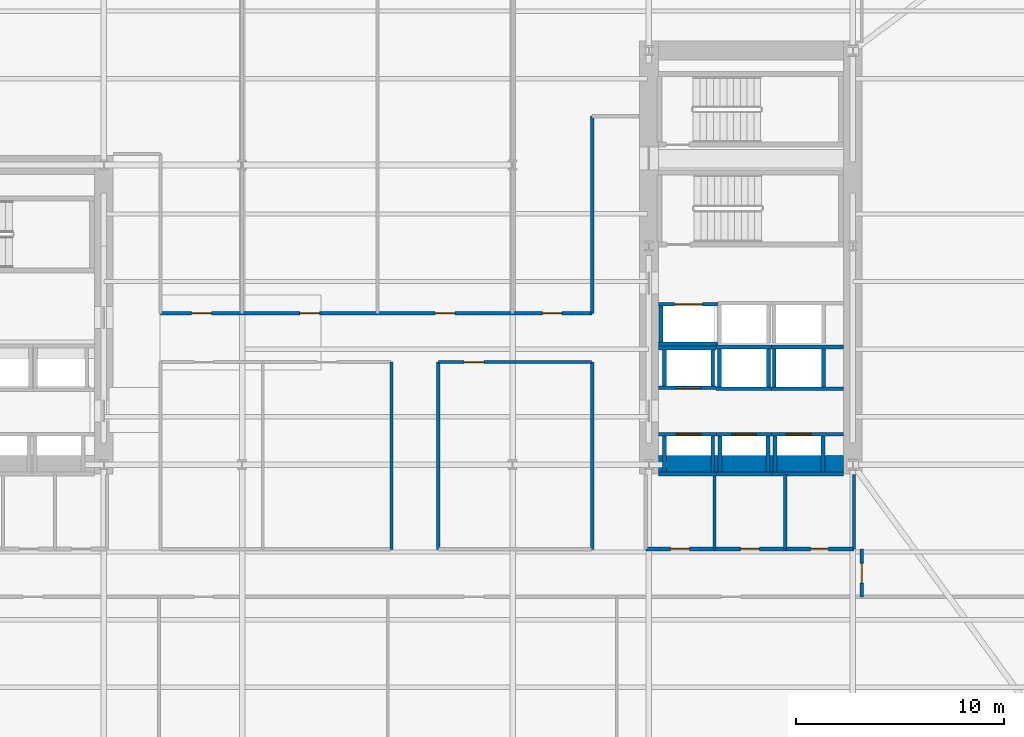
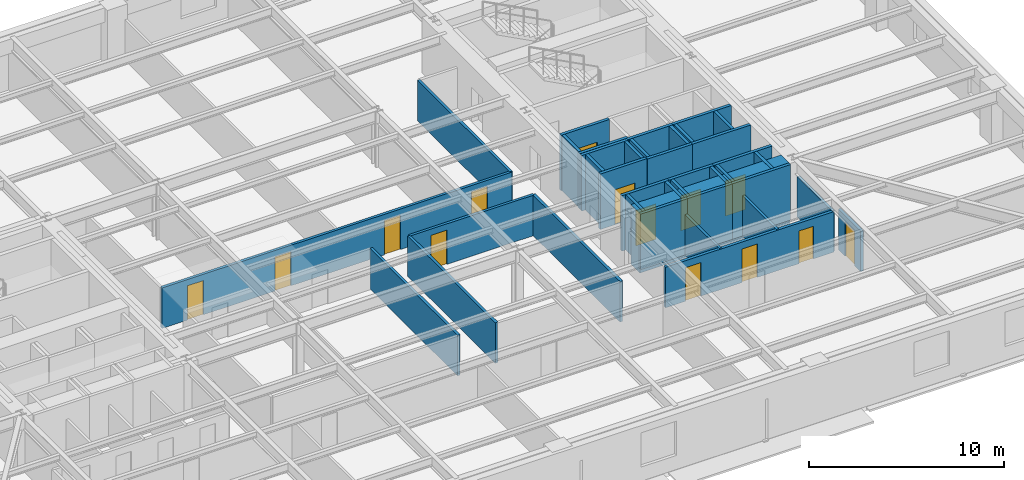
# One storey, part 6 of 15: 39 walls, 14 doors, 14 openings.
"""IFC4 building model written with IfcOpenShell, lengths in metres."""

from ifc_helpers import new_model, si_unit, direction, frame, frame_2d, origin, place, context, subcontext, project, spatial, rectangle, extrude, material, layer, layer_set, type_object, element, fill, save


model = new_model("IFC4")

# Units and contexts
model_context = context("Model", 3, precision=1e-05, world=origin(), true_north=direction((0.0, 1.0)))
body_context = subcontext(model_context, "Body", "Model", "MODEL_VIEW")
ifc_project = project(units=[si_unit("LENGTHUNIT", "METRE"), si_unit("AREAUNIT", "SQUARE_METRE"), si_unit("VOLUMEUNIT", "CUBIC_METRE"), si_unit("PLANEANGLEUNIT", "RADIAN"), si_unit("MASSUNIT", "GRAM", prefix="KILO")], contexts=[model_context])

# Site, building, storey
site_placement = place(None, origin())
site = spatial("IfcSite", under=ifc_project, at=site_placement, CompositionType="ELEMENT")
building_placement = place(site_placement, origin())
building = spatial("IfcBuilding", under=site, at=building_placement, Name="Kolvaren Arena Tower", CompositionType="ELEMENT")
storey_placement = place(building_placement, frame((0.0, 0.0, 83.25)))
storey = spatial("IfcBuildingStorey", under=building, at=storey_placement, Name="L18", CompositionType="ELEMENT", Elevation=83.25)

# Wall, openings, doors
ifc_material_1 = material(Name="Gypsum board acoustic assembly", Category="gypsum")
ifc_layer_1 = layer(ifc_material_1, 0.159912109375)
ifc_layer_set_1 = layer_set([ifc_layer_1], Name="Gypsum board acoustic assembly")
wall_type_1 = type_object("IfcWallType", Name="CORR-160", PredefinedType="PARTITIONING", material=ifc_layer_set_1)
wall_1_placement = place(storey_placement, frame((27.080078125, 26.719970703125, 0.0), z_axis=(0.0, 0.0, 1.0), x_axis=(1.0, 0.0, 0.0)))
wall_1 = element("IfcWall", 1, at=wall_1_placement, inside=storey, type_object=wall_type_1, Name="Interior Partition Wall (L18)", PredefinedType="PARTITIONING", context=body_context, shape_type="SweptSolid", body=[
    extrude(rectangle(XDim=20.739990234375, YDim=0.159912109375, at=frame_2d((10.3701171875, 0.0))), origin(), (0.0, 0.0, 1.0), 2.5400390625),
])
opening_1_placement = place(wall_1_placement, frame((1.4951171875, 0.0, 0.0)))
opening_1 = element("IfcOpeningElement", 2, at=opening_1_placement, cuts=wall_1, Name="Opening D05", PredefinedType="OPENING", context=body_context, shape_type="SweptSolid", body=[
    extrude(rectangle(XDim=0.949951171875, YDim=2.14990234375, at=frame_2d((0.47509765625, 1.074951171875))), frame((0.0, 0.08984375, 0.0), z_axis=(0.0, -1.0, 0.0), x_axis=(1.0, 0.0, 0.0)), (0.0, 0.0, 1.0), 0.179931640625),
])
opening_2_placement = place(wall_1_placement, frame((6.695068359375, 0.0, 0.0)))
opening_2 = element("IfcOpeningElement", 3, at=opening_2_placement, cuts=wall_1, Name="Opening D05", PredefinedType="OPENING", context=body_context, shape_type="SweptSolid", body=[
    extrude(rectangle(XDim=0.949951171875, YDim=2.14990234375, at=frame_2d((0.47509765625, 1.074951171875))), frame((0.0, 0.08984375, 0.0), z_axis=(0.0, -1.0, 0.0), x_axis=(1.0, 0.0, 0.0)), (0.0, 0.0, 1.0), 0.179931640625),
])
opening_3_placement = place(wall_1_placement, frame((13.195068359375, 0.0, 0.0)))
opening_3 = element("IfcOpeningElement", 4, at=opening_3_placement, cuts=wall_1, Name="Opening D05", PredefinedType="OPENING", context=body_context, shape_type="SweptSolid", body=[
    extrude(rectangle(XDim=0.949951171875, YDim=2.14990234375, at=frame_2d((0.47509765625, 1.074951171875))), frame((0.0, 0.08984375, 0.0), z_axis=(0.0, -1.0, 0.0), x_axis=(1.0, 0.0, 0.0)), (0.0, 0.0, 1.0), 0.179931640625),
])
opening_4_placement = place(wall_1_placement, frame((18.344970703125, 0.0, 0.0)))
opening_4 = element("IfcOpeningElement", 5, at=opening_4_placement, cuts=wall_1, Name="Opening D05", PredefinedType="OPENING", context=body_context, shape_type="SweptSolid", body=[
    extrude(rectangle(XDim=0.949951171875, YDim=2.14990234375, at=frame_2d((0.47509765625, 1.074951171875))), frame((0.0, 0.08984375, 0.0), z_axis=(0.0, -1.0, 0.0), x_axis=(1.0, 0.0, 0.0)), (0.0, 0.0, 1.0), 0.179931640625),
])
ifc_material_2 = material(Name="Solid-core oak acoustic office door", Category="wood")
door_type_1 = type_object("IfcDoorType", Name="DOOR-OF-095", OperationType="NOTDEFINED", PredefinedType="DOOR", material=ifc_material_2)
door_1_placement = place(opening_1_placement, origin())
door_1 = element("IfcDoor", 6, at=door_1_placement, inside=storey, type_object=door_type_1, Name="Breakout Pantry and Kitchen Door (L18)", OperationType="SINGLE_SWING_RIGHT", OverallHeight=2.14990234375, OverallWidth=0.949951171875, PredefinedType="DOOR", context=body_context, shape_type="SweptSolid", body=[
    extrude(rectangle(XDim=0.949951171875, YDim=2.14990234375, at=frame_2d((0.47509765625, 1.074951171875))), frame((0.0, 0.02490234375, 0.0), z_axis=(0.0, -1.0, 0.0), x_axis=(1.0, 0.0, 0.0)), (0.0, 0.0, 1.0), 0.050048828125),
])
fill(opening_1, door_1)
door_2_placement = place(opening_2_placement, origin())
door_2 = element("IfcDoor", 7, at=door_2_placement, inside=storey, type_object=door_type_1, Name="Wellness Room Door (L18)", OperationType="SINGLE_SWING_LEFT", OverallHeight=2.14990234375, OverallWidth=0.949951171875, PredefinedType="DOOR", context=body_context, shape_type="SweptSolid", body=[
    extrude(rectangle(XDim=0.949951171875, YDim=2.14990234375, at=frame_2d((0.47509765625, 1.074951171875))), frame((0.0, 0.02490234375, 0.0), z_axis=(0.0, -1.0, 0.0), x_axis=(1.0, 0.0, 0.0)), (0.0, 0.0, 1.0), 0.050048828125),
])
fill(opening_2, door_2)
door_3_placement = place(opening_3_placement, origin())
door_3 = element("IfcDoor", 8, at=door_3_placement, inside=storey, type_object=door_type_1, Name="Executive Office Door (L18)", OperationType="SINGLE_SWING_RIGHT", OverallHeight=2.14990234375, OverallWidth=0.949951171875, PredefinedType="DOOR", context=body_context, shape_type="SweptSolid", body=[
    extrude(rectangle(XDim=0.949951171875, YDim=2.14990234375, at=frame_2d((0.47509765625, 1.074951171875))), frame((0.0, 0.02490234375, 0.0), z_axis=(0.0, -1.0, 0.0), x_axis=(1.0, 0.0, 0.0)), (0.0, 0.0, 1.0), 0.050048828125),
])
fill(opening_3, door_3)
door_4_placement = place(opening_4_placement, origin())
door_4 = element("IfcDoor", 9, at=door_4_placement, inside=storey, type_object=door_type_1, Name="Executive Office Door (L18)", OperationType="SINGLE_SWING_LEFT", OverallHeight=2.14990234375, OverallWidth=0.949951171875, PredefinedType="DOOR", context=body_context, shape_type="SweptSolid", body=[
    extrude(rectangle(XDim=0.949951171875, YDim=2.14990234375, at=frame_2d((0.47509765625, 1.074951171875))), frame((0.0, 0.02490234375, 0.0), z_axis=(0.0, -1.0, 0.0), x_axis=(1.0, 0.0, 0.0)), (0.0, 0.0, 1.0), 0.050048828125),
])
fill(opening_4, door_4)

# Wall, opening, door
wall_2_placement = place(storey_placement, frame((40.43994140625, 24.3798828125, 0.0), z_axis=(0.0, 0.0, 1.0), x_axis=(1.0, 0.0, 0.0)))
wall_2 = element("IfcWall", 10, at=wall_2_placement, inside=storey, type_object=wall_type_1, Name="Interior Partition Wall (L18)", PredefinedType="PARTITIONING", context=body_context, shape_type="SweptSolid", body=[
    extrude(rectangle(XDim=7.360107421875, YDim=0.159912109375, at=frame_2d((3.68017578125, 0.0))), origin(), (0.0, 0.0, 1.0), 2.5400390625),
])
opening_5_placement = place(wall_2_placement, frame((1.235107421875, 0.0, 0.0)))
opening_5 = element("IfcOpeningElement", 11, at=opening_5_placement, cuts=wall_2, Name="Opening D05", PredefinedType="OPENING", context=body_context, shape_type="SweptSolid", body=[
    extrude(rectangle(XDim=0.949951171875, YDim=2.14990234375, at=frame_2d((0.47509765625, 1.074951171875))), frame((0.0, 0.08984375, 0.0), z_axis=(0.0, -1.0, 0.0), x_axis=(1.0, 0.0, 0.0)), (0.0, 0.0, 1.0), 0.179931640625),
])
door_5_placement = place(opening_5_placement, origin())
door_5 = element("IfcDoor", 12, at=door_5_placement, inside=storey, type_object=door_type_1, Name="Breakout Pantry and Kitchen Door (L18)", OperationType="SINGLE_SWING_RIGHT", OverallHeight=2.14990234375, OverallWidth=0.949951171875, PredefinedType="DOOR", context=body_context, shape_type="SweptSolid", body=[
    extrude(rectangle(XDim=0.949951171875, YDim=2.14990234375, at=frame_2d((0.47509765625, 1.074951171875))), frame((0.0, 0.02490234375, 0.0), z_axis=(0.0, -1.0, 0.0), x_axis=(1.0, 0.0, 0.0)), (0.0, 0.0, 1.0), 0.050048828125),
])
fill(opening_5, door_5)

# Walls
for number, where, z_axis, x_axis, name in (
    (13, (38.179931640625, 15.3798828125, 0.0), (0.0, 0.0, 1.0), (0.0, 1.0, 0.0), "Interior Partition Wall (L18)"),
    (14, (40.419921875, 15.3798828125, 0.0), (0.0, 0.0, 1.0), (0.0, 1.0, 0.0), "Interior Partition Wall (L18)"),
    (15, (47.820068359375, 15.3798828125, 0.0), (0.0, 0.0, 1.0), (0.0, 1.0, 0.0), "Interior Partition Wall (L18)"),
):
    element("IfcWall", number, at=place(storey_placement, frame(where, z_axis=z_axis, x_axis=x_axis)), inside=storey, type_object=wall_type_1, Name=name, PredefinedType="PARTITIONING", context=body_context, shape_type="SweptSolid", body=[
        extrude(rectangle(XDim=9.0, YDim=0.159912109375, at=frame_2d((4.5, 0.0))), origin(), (0.0, 0.0, 1.0), 2.5400390625),
    ])
wall_3_placement = place(storey_placement, frame((47.820068359375, 26.719970703125, 0.0), z_axis=(0.0, 0.0, 1.0), x_axis=(0.0, 1.0, 0.0)))
element("IfcWall", 16, at=wall_3_placement, inside=storey, type_object=wall_type_1, Name="Interior Partition Wall (L18)", PredefinedType="PARTITIONING", context=body_context, shape_type="SweptSolid", body=[
    extrude(rectangle(XDim=9.47998046875, YDim=0.159912109375, at=frame_2d((4.739990234375, 0.0))), origin(), (0.0, 0.0, 1.0), 2.5400390625),
])

# Wall, opening, door
wall_4_placement = place(storey_placement, frame((60.780029296875, 13.10009765625, 0.0), z_axis=(0.0, 0.0, 1.0), x_axis=(0.0, 1.0, 0.0)))
wall_4 = element("IfcWall", 17, at=wall_4_placement, inside=storey, type_object=wall_type_1, Name="Interior Partition Wall (L18)", PredefinedType="PARTITIONING", context=body_context, shape_type="SweptSolid", body=[
    extrude(rectangle(XDim=2.2998046875, YDim=0.159912109375, at=frame_2d((1.14990234375, 0.0))), origin(), (0.0, 0.0, 1.0), 2.5400390625),
])
opening_6_placement = place(wall_4_placement, frame((0.64990234375, 0.0, 0.0)))
opening_6 = element("IfcOpeningElement", 18, at=opening_6_placement, cuts=wall_4, Name="Opening D05", PredefinedType="OPENING", context=body_context, shape_type="SweptSolid", body=[
    extrude(rectangle(XDim=0.949951171875, YDim=2.14990234375, at=frame_2d((0.47509765625, 1.074951171875))), frame((0.0, 0.08984375, 0.0), z_axis=(0.0, -1.0, 0.0), x_axis=(1.0, 0.0, 0.0)), (0.0, 0.0, 1.0), 0.179931640625),
])
door_6_placement = place(opening_6_placement, origin())
door_6 = element("IfcDoor", 19, at=door_6_placement, inside=storey, type_object=door_type_1, Name="East Wing Studio Door (L18)", OperationType="SINGLE_SWING_RIGHT", OverallHeight=2.14990234375, OverallWidth=0.949951171875, PredefinedType="DOOR", context=body_context, shape_type="SweptSolid", body=[
    extrude(rectangle(XDim=0.949951171875, YDim=2.14990234375, at=frame_2d((0.47509765625, 1.074951171875))), frame((0.0, 0.02490234375, 0.0), z_axis=(0.0, -1.0, 0.0), x_axis=(1.0, 0.0, 0.0)), (0.0, 0.0, 1.0), 0.050048828125),
])
fill(opening_6, door_6)

# Wall
ifc_material_3 = material(Name="Concrete 80 MPa", Category="concrete")
ifc_layer_2 = layer(ifc_material_3, 0.89990234375)
ifc_layer_set_2 = layer_set([ifc_layer_2], Name="Concrete 80 MPa")
wall_type_2 = type_object("IfcWallType", Name="CWALL-900", PredefinedType="SHEAR", material=ifc_layer_set_2)
wall_5_placement = place(storey_placement, frame((51.0, 19.449951171875, -0.27001953125), z_axis=(0.0, 0.0, 1.0), x_axis=(1.0, 0.0, 0.0)))
element("IfcWall", 20, at=wall_5_placement, inside=storey, type_object=wall_type_2, Name="Core Shear Wall EC-SOUTH (L18)", PredefinedType="SHEAR", context=body_context, shape_type="SweptSolid", body=[
    extrude(rectangle(XDim=8.89990234375, YDim=0.89990234375, at=frame_2d((4.449951171875, 0.0))), origin(), (0.0, 0.0, 1.0), 3.75),
])

# Wall, opening, door
ifc_material_4 = material(Name="Concrete 45 MPa", Category="concrete")
ifc_layer_3 = layer(ifc_material_4, 0.25)
ifc_layer_set_3 = layer_set([ifc_layer_3], Name="Concrete 45 MPa")
wall_type_3 = type_object("IfcWallType", Name="SHAFT-250", PredefinedType="SOLIDWALL", material=ifc_layer_set_3)
wall_6_placement = place(storey_placement, frame((51.0, 20.905029296875, 0.0), z_axis=(0.0, 0.0, 1.0), x_axis=(1.0, 0.0, 0.0)))
wall_6 = element("IfcWall", 21, at=wall_6_placement, inside=storey, type_object=wall_type_3, Name="Core Shaft Wall (L18)", PredefinedType="SOLIDWALL", context=body_context, shape_type="SweptSolid", body=[
    extrude(rectangle(XDim=2.7900390625, YDim=0.179931640625, at=frame_2d((1.39501953125, 0.0))), origin(), (0.0, 0.0, 1.0), 3.47998046875),
])
opening_7_placement = place(wall_6_placement, frame((0.860107421875, 0.0, 0.0)))
opening_7 = element("IfcOpeningElement", 22, at=opening_7_placement, cuts=wall_6, Name="Opening LD1", PredefinedType="OPENING", context=body_context, shape_type="SweptSolid", body=[
    extrude(rectangle(XDim=1.199951171875, YDim=2.199951171875, at=frame_2d((0.60009765625, 1.10009765625))), frame((0.0, 0.099853515625, 0.0), z_axis=(0.0, -1.0, 0.0), x_axis=(1.0, 0.0, 0.0)), (0.0, 0.0, 1.0), 0.199951171875),
])
ifc_material_5 = material(Name="Stainless steel passenger lift landing door", Category="steel")
door_type_2 = type_object("IfcDoorType", Name="DOOR-LD-120", OperationType="DOUBLE_DOOR_SLIDING", PredefinedType="DOOR", material=ifc_material_5)
door_7_placement = place(opening_7_placement, origin())
door_7 = element("IfcDoor", 23, at=door_7_placement, inside=storey, type_object=door_type_2, Name="Lift EL-LR1 Landing Door (L18)", OperationType="DOUBLE_DOOR_SLIDING", OverallHeight=2.199951171875, OverallWidth=1.199951171875, PredefinedType="DOOR", context=body_context, shape_type="SweptSolid", body=[
    extrude(rectangle(XDim=1.199951171875, YDim=2.199951171875, at=frame_2d((0.60009765625, 1.10009765625))), frame((0.0, 0.02490234375, 0.0), z_axis=(0.0, -1.0, 0.0), x_axis=(1.0, 0.0, 0.0)), (0.0, 0.0, 1.0), 0.050048828125),
])
fill(opening_7, door_7)

# Walls
wall_7_placement = place(storey_placement, frame((51.0, 18.9951171875, 0.0), z_axis=(0.0, 0.0, 1.0), x_axis=(1.0, 0.0, 0.0)))
element("IfcWall", 24, at=wall_7_placement, inside=storey, type_object=wall_type_3, Name="Core Shaft Wall (L18)", PredefinedType="SOLIDWALL", context=body_context, shape_type="SweptSolid", body=[
    extrude(rectangle(XDim=2.7900390625, YDim=0.179931640625, at=frame_2d((1.39501953125, 0.0))), origin(), (0.0, 0.0, 1.0), 3.47998046875),
])
for number, where, z_axis, x_axis, name in (
    (25, (51.304931640625, 19.0849609375, 0.0), (0.0, 0.0, 1.0), (0.0, 1.0, 0.0), "Core Shaft Wall (L18)"),
    (26, (53.614990234375, 19.0849609375, 0.0), (0.0, 0.0, 1.0), (0.0, 1.0, 0.0), "Core Shaft Wall (L18)"),
):
    element("IfcWall", number, at=place(storey_placement, frame(where, z_axis=z_axis, x_axis=x_axis)), inside=storey, type_object=wall_type_3, Name=name, PredefinedType="SOLIDWALL", context=body_context, shape_type="SweptSolid", body=[
        extrude(rectangle(XDim=1.72998046875, YDim=0.179931640625, at=frame_2d((0.864990234375, 0.0))), origin(), (0.0, 0.0, 1.0), 3.47998046875),
    ])

# Wall, opening, door
wall_8_placement = place(storey_placement, frame((53.7900390625, 20.905029296875, 0.0), z_axis=(0.0, 0.0, 1.0), x_axis=(1.0, 0.0, 0.0)))
wall_8 = element("IfcWall", 27, at=wall_8_placement, inside=storey, type_object=wall_type_3, Name="Core Shaft Wall (L18)", PredefinedType="SOLIDWALL", context=body_context, shape_type="SweptSolid", body=[
    extrude(rectangle(XDim=2.64990234375, YDim=0.179931640625, at=frame_2d((1.324951171875, 0.0))), origin(), (0.0, 0.0, 1.0), 3.47998046875),
])
opening_8_placement = place(wall_8_placement, frame((0.72998046875, 0.0, 0.0)))
opening_8 = element("IfcOpeningElement", 28, at=opening_8_placement, cuts=wall_8, Name="Opening LD1", PredefinedType="OPENING", context=body_context, shape_type="SweptSolid", body=[
    extrude(rectangle(XDim=1.199951171875, YDim=2.199951171875, at=frame_2d((0.60009765625, 1.10009765625))), frame((0.0, 0.099853515625, 0.0), z_axis=(0.0, -1.0, 0.0), x_axis=(1.0, 0.0, 0.0)), (0.0, 0.0, 1.0), 0.199951171875),
])
door_8_placement = place(opening_8_placement, origin())
door_8 = element("IfcDoor", 29, at=door_8_placement, inside=storey, type_object=door_type_2, Name="Lift EL-LR2 Landing Door (L18)", OperationType="DOUBLE_DOOR_SLIDING", OverallHeight=2.199951171875, OverallWidth=1.199951171875, PredefinedType="DOOR", context=body_context, shape_type="SweptSolid", body=[
    extrude(rectangle(XDim=1.199951171875, YDim=2.199951171875, at=frame_2d((0.60009765625, 1.10009765625))), frame((0.0, 0.02490234375, 0.0), z_axis=(0.0, -1.0, 0.0), x_axis=(1.0, 0.0, 0.0)), (0.0, 0.0, 1.0), 0.050048828125),
])
fill(opening_8, door_8)

# Walls
wall_9_placement = place(storey_placement, frame((53.7900390625, 18.9951171875, 0.0), z_axis=(0.0, 0.0, 1.0), x_axis=(1.0, 0.0, 0.0)))
element("IfcWall", 30, at=wall_9_placement, inside=storey, type_object=wall_type_3, Name="Core Shaft Wall (L18)", PredefinedType="SOLIDWALL", context=body_context, shape_type="SweptSolid", body=[
    extrude(rectangle(XDim=2.64990234375, YDim=0.179931640625, at=frame_2d((1.324951171875, 0.0))), origin(), (0.0, 0.0, 1.0), 3.47998046875),
])
for number, where, z_axis, x_axis, name in (
    (31, (53.965087890625, 19.0849609375, 0.0), (0.0, 0.0, 1.0), (0.0, 1.0, 0.0), "Core Shaft Wall (L18)"),
    (32, (56.27490234375, 19.0849609375, 0.0), (0.0, 0.0, 1.0), (0.0, 1.0, 0.0), "Core Shaft Wall (L18)"),
):
    element("IfcWall", number, at=place(storey_placement, frame(where, z_axis=z_axis, x_axis=x_axis)), inside=storey, type_object=wall_type_3, Name=name, PredefinedType="SOLIDWALL", context=body_context, shape_type="SweptSolid", body=[
        extrude(rectangle(XDim=1.72998046875, YDim=0.179931640625, at=frame_2d((0.864990234375, 0.0))), origin(), (0.0, 0.0, 1.0), 3.47998046875),
    ])

# Wall, opening, door
wall_10_placement = place(storey_placement, frame((56.43994140625, 20.905029296875, 0.0), z_axis=(0.0, 0.0, 1.0), x_axis=(1.0, 0.0, 0.0)))
wall_10 = element("IfcWall", 33, at=wall_10_placement, inside=storey, type_object=wall_type_3, Name="Core Shaft Wall (L18)", PredefinedType="SOLIDWALL", context=body_context, shape_type="SweptSolid", body=[
    extrude(rectangle(XDim=3.4599609375, YDim=0.179931640625, at=frame_2d((1.72998046875, 0.0))), origin(), (0.0, 0.0, 1.0), 3.47998046875),
])
opening_9_placement = place(wall_10_placement, frame((0.719970703125, 0.0, 0.0)))
opening_9 = element("IfcOpeningElement", 34, at=opening_9_placement, cuts=wall_10, Name="Opening LD1", PredefinedType="OPENING", context=body_context, shape_type="SweptSolid", body=[
    extrude(rectangle(XDim=1.199951171875, YDim=2.199951171875, at=frame_2d((0.60009765625, 1.10009765625))), frame((0.0, 0.099853515625, 0.0), z_axis=(0.0, -1.0, 0.0), x_axis=(1.0, 0.0, 0.0)), (0.0, 0.0, 1.0), 0.199951171875),
])
door_9_placement = place(opening_9_placement, origin())
door_9 = element("IfcDoor", 35, at=door_9_placement, inside=storey, type_object=door_type_2, Name="Lift EL-LR3 Landing Door (L18)", OperationType="DOUBLE_DOOR_SLIDING", OverallHeight=2.199951171875, OverallWidth=1.199951171875, PredefinedType="DOOR", context=body_context, shape_type="SweptSolid", body=[
    extrude(rectangle(XDim=1.199951171875, YDim=2.199951171875, at=frame_2d((0.60009765625, 1.10009765625))), frame((0.0, 0.02490234375, 0.0), z_axis=(0.0, -1.0, 0.0), x_axis=(1.0, 0.0, 0.0)), (0.0, 0.0, 1.0), 0.050048828125),
])
fill(opening_9, door_9)

# Walls
wall_11_placement = place(storey_placement, frame((56.43994140625, 18.9951171875, 0.0), z_axis=(0.0, 0.0, 1.0), x_axis=(1.0, 0.0, 0.0)))
element("IfcWall", 36, at=wall_11_placement, inside=storey, type_object=wall_type_3, Name="Core Shaft Wall (L18)", PredefinedType="SOLIDWALL", context=body_context, shape_type="SweptSolid", body=[
    extrude(rectangle(XDim=3.4599609375, YDim=0.179931640625, at=frame_2d((1.72998046875, 0.0))), origin(), (0.0, 0.0, 1.0), 3.47998046875),
])
for number, where, z_axis, x_axis, name in (
    (37, (56.60498046875, 19.0849609375, 0.0), (0.0, 0.0, 1.0), (0.0, 1.0, 0.0), "Core Shaft Wall (L18)"),
    (38, (58.9150390625, 19.0849609375, 0.0), (0.0, 0.0, 1.0), (0.0, 1.0, 0.0), "Core Shaft Wall (L18)"),
):
    element("IfcWall", number, at=place(storey_placement, frame(where, z_axis=z_axis, x_axis=x_axis)), inside=storey, type_object=wall_type_3, Name=name, PredefinedType="SOLIDWALL", context=body_context, shape_type="SweptSolid", body=[
        extrude(rectangle(XDim=1.72998046875, YDim=0.179931640625, at=frame_2d((0.864990234375, 0.0))), origin(), (0.0, 0.0, 1.0), 3.47998046875),
    ])
wall_12_placement = place(storey_placement, frame((51.0, 25.054931640625, 0.0), z_axis=(0.0, 0.0, 1.0), x_axis=(1.0, 0.0, 0.0)))
element("IfcWall", 39, at=wall_12_placement, inside=storey, type_object=wall_type_3, Name="Core Shaft Wall (L18)", PredefinedType="SOLIDWALL", context=body_context, shape_type="SweptSolid", body=[
    extrude(rectangle(XDim=2.777587890625, YDim=0.179931640625, at=frame_2d((1.388671875, 0.0))), origin(), (0.0, 0.0, 1.0), 3.47998046875),
])

# Wall, opening, door
wall_13_placement = place(storey_placement, frame((51.0, 23.14501953125, 0.0), z_axis=(0.0, 0.0, 1.0), x_axis=(1.0, 0.0, 0.0)))
wall_13 = element("IfcWall", 40, at=wall_13_placement, inside=storey, type_object=wall_type_3, Name="Core Shaft Wall (L18)", PredefinedType="SOLIDWALL", context=body_context, shape_type="SweptSolid", body=[
    extrude(rectangle(XDim=2.777587890625, YDim=0.179931640625, at=frame_2d((1.388671875, 0.0))), origin(), (0.0, 0.0, 1.0), 3.47998046875),
])
opening_10_placement = place(wall_13_placement, frame((0.860107421875, 0.0, 0.0)))
opening_10 = element("IfcOpeningElement", 41, at=opening_10_placement, cuts=wall_13, Name="Opening LD1", PredefinedType="OPENING", context=body_context, shape_type="SweptSolid", body=[
    extrude(rectangle(XDim=1.199951171875, YDim=2.199951171875, at=frame_2d((0.60009765625, 1.10009765625))), frame((0.0, 0.099853515625, 0.0), z_axis=(0.0, -1.0, 0.0), x_axis=(1.0, 0.0, 0.0)), (0.0, 0.0, 1.0), 0.199951171875),
])
door_10_placement = place(opening_10_placement, origin())
door_10 = element("IfcDoor", 42, at=door_10_placement, inside=storey, type_object=door_type_2, Name="Lift EL-LR4 Landing Door (L18)", OperationType="DOUBLE_DOOR_SLIDING", OverallHeight=2.199951171875, OverallWidth=1.199951171875, PredefinedType="DOOR", context=body_context, shape_type="SweptSolid", body=[
    extrude(rectangle(XDim=1.199951171875, YDim=2.199951171875, at=frame_2d((0.60009765625, 1.10009765625))), frame((0.0, 0.02490234375, 0.0), z_axis=(0.0, -1.0, 0.0), x_axis=(1.0, 0.0, 0.0)), (0.0, 0.0, 1.0), 0.050048828125),
])
fill(opening_10, door_10)

# Walls
for number, where, z_axis, x_axis, name in (
    (43, (51.304931640625, 23.235107421875, 0.0), (0.0, 0.0, 1.0), (0.0, 1.0, 0.0), "Core Shaft Wall (L18)"),
    (44, (53.614990234375, 23.235107421875, 0.0), (0.0, 0.0, 1.0), (0.0, 1.0, 0.0), "Core Shaft Wall (L18)"),
):
    element("IfcWall", number, at=place(storey_placement, frame(where, z_axis=z_axis, x_axis=x_axis)), inside=storey, type_object=wall_type_3, Name=name, PredefinedType="SOLIDWALL", context=body_context, shape_type="SweptSolid", body=[
        extrude(rectangle(XDim=1.72998046875, YDim=0.179931640625, at=frame_2d((0.864990234375, 0.0))), origin(), (0.0, 0.0, 1.0), 3.47998046875),
    ])
for number, where, z_axis, x_axis, name in (
    (45, (53.777587890625, 25.10498046875, 0.0), (0.0, 0.0, 1.0), (1.0, 0.0, 0.0), "Core Shaft Wall (L18)"),
    (46, (53.777587890625, 23.094970703125, 0.0), (0.0, 0.0, 1.0), (1.0, 0.0, 0.0), "Core Shaft Wall (L18)"),
):
    element("IfcWall", number, at=place(storey_placement, frame(where, z_axis=z_axis, x_axis=x_axis)), inside=storey, type_object=wall_type_3, Name=name, PredefinedType="SOLIDWALL", context=body_context, shape_type="SweptSolid", body=[
        extrude(rectangle(XDim=2.662353515625, YDim=0.179931640625, at=frame_2d((1.3310546875, 0.0))), origin(), (0.0, 0.0, 1.0), 3.47998046875),
    ])
for number, where, z_axis, x_axis, name in (
    (47, (53.93994140625, 23.18505859375, 0.0), (0.0, 0.0, 1.0), (0.0, 1.0, 0.0), "Core Shaft Wall (L18)"),
    (48, (56.300048828125, 23.18505859375, 0.0), (0.0, 0.0, 1.0), (0.0, 1.0, 0.0), "Core Shaft Wall (L18)"),
):
    element("IfcWall", number, at=place(storey_placement, frame(where, z_axis=z_axis, x_axis=x_axis)), inside=storey, type_object=wall_type_3, Name=name, PredefinedType="SOLIDWALL", context=body_context, shape_type="SweptSolid", body=[
        extrude(rectangle(XDim=1.829833984375, YDim=0.179931640625, at=frame_2d((0.9150390625, 0.0))), origin(), (0.0, 0.0, 1.0), 3.47998046875),
    ])
for number, where, z_axis, x_axis, name in (
    (49, (56.43994140625, 25.10498046875, 0.0), (0.0, 0.0, 1.0), (1.0, 0.0, 0.0), "Core Shaft Wall (L18)"),
    (50, (56.43994140625, 23.094970703125, 0.0), (0.0, 0.0, 1.0), (1.0, 0.0, 0.0), "Core Shaft Wall (L18)"),
):
    element("IfcWall", number, at=place(storey_placement, frame(where, z_axis=z_axis, x_axis=x_axis)), inside=storey, type_object=wall_type_3, Name=name, PredefinedType="SOLIDWALL", context=body_context, shape_type="SweptSolid", body=[
        extrude(rectangle(XDim=3.4599609375, YDim=0.179931640625, at=frame_2d((1.72998046875, 0.0))), origin(), (0.0, 0.0, 1.0), 3.47998046875),
    ])
for number, where, z_axis, x_axis, name in (
    (51, (56.580078125, 23.18505859375, 0.0), (0.0, 0.0, 1.0), (0.0, 1.0, 0.0), "Core Shaft Wall (L18)"),
    (52, (58.93994140625, 23.18505859375, 0.0), (0.0, 0.0, 1.0), (0.0, 1.0, 0.0), "Core Shaft Wall (L18)"),
):
    element("IfcWall", number, at=place(storey_placement, frame(where, z_axis=z_axis, x_axis=x_axis)), inside=storey, type_object=wall_type_3, Name=name, PredefinedType="SOLIDWALL", context=body_context, shape_type="SweptSolid", body=[
        extrude(rectangle(XDim=1.829833984375, YDim=0.179931640625, at=frame_2d((0.9150390625, 0.0))), origin(), (0.0, 0.0, 1.0), 3.47998046875),
    ])

# Wall, opening, door
wall_14_placement = place(storey_placement, frame((51.0, 27.155029296875, 0.0), z_axis=(0.0, 0.0, 1.0), x_axis=(1.0, 0.0, 0.0)))
wall_14 = element("IfcWall", 53, at=wall_14_placement, inside=storey, type_object=wall_type_3, Name="Core Shaft Wall (L18)", PredefinedType="SOLIDWALL", context=body_context, shape_type="SweptSolid", body=[
    extrude(rectangle(XDim=2.864990234375, YDim=0.179931640625, at=frame_2d((1.4326171875, 0.0))), origin(), (0.0, 0.0, 1.0), 3.47998046875),
])
opening_11_placement = place(wall_14_placement, frame((0.784912109375, 0.0, 0.0)))
opening_11 = element("IfcOpeningElement", 54, at=opening_11_placement, cuts=wall_14, Name="Opening LD2", PredefinedType="OPENING", context=body_context, shape_type="SweptSolid", body=[
    extrude(rectangle(XDim=1.35009765625, YDim=2.300048828125, at=frame_2d((0.675048828125, 1.14990234375))), frame((0.0, 0.099853515625, 0.0), z_axis=(0.0, -1.0, 0.0), x_axis=(1.0, 0.0, 0.0)), (0.0, 0.0, 1.0), 0.199951171875),
])
ifc_material_6 = material(Name="Stainless steel firefighter lift landing door", Category="steel")
door_type_3 = type_object("IfcDoorType", Name="DOOR-LD-135", OperationType="DOUBLE_DOOR_SLIDING", PredefinedType="DOOR", material=ifc_material_6)
door_11_placement = place(opening_11_placement, origin())
door_11 = element("IfcDoor", 55, at=door_11_placement, inside=storey, type_object=door_type_3, Name="Firefighter Lift FF-E1 Landing Door (L18)", OperationType="DOUBLE_DOOR_SLIDING", OverallHeight=2.300048828125, OverallWidth=1.35009765625, PredefinedType="DOOR", context=body_context, shape_type="SweptSolid", body=[
    extrude(rectangle(XDim=1.35009765625, YDim=2.300048828125, at=frame_2d((0.675048828125, 1.14990234375))), frame((0.0, 0.02490234375, 0.0), z_axis=(0.0, -1.0, 0.0), x_axis=(1.0, 0.0, 0.0)), (0.0, 0.0, 1.0), 0.050048828125),
])
fill(opening_11, door_11)

# Walls
wall_15_placement = place(storey_placement, frame((51.0, 25.2451171875, 0.0), z_axis=(0.0, 0.0, 1.0), x_axis=(1.0, 0.0, 0.0)))
element("IfcWall", 56, at=wall_15_placement, inside=storey, type_object=wall_type_3, Name="Core Shaft Wall (L18)", PredefinedType="SOLIDWALL", context=body_context, shape_type="SweptSolid", body=[
    extrude(rectangle(XDim=2.864990234375, YDim=0.179931640625, at=frame_2d((1.4326171875, 0.0))), origin(), (0.0, 0.0, 1.0), 3.47998046875),
])
wall_16_placement = place(storey_placement, frame((51.1298828125, 25.3349609375, 0.0), z_axis=(0.0, 0.0, 1.0), x_axis=(0.0, 1.0, 0.0)))
element("IfcWall", 57, at=wall_16_placement, inside=storey, type_object=wall_type_3, Name="Core Shaft Wall (L18)", PredefinedType="SOLIDWALL", context=body_context, shape_type="SweptSolid", body=[
    extrude(rectangle(XDim=1.72998046875, YDim=0.179931640625, at=frame_2d((0.864990234375, 0.0))), origin(), (0.0, 0.0, 1.0), 3.47998046875),
])

# Wall, openings, doors
wall_17_placement = place(storey_placement, frame((50.39990234375, 15.39990234375, 0.0), z_axis=(0.0, 0.0, 1.0), x_axis=(1.0, 0.0, 0.0)))
wall_17 = element("IfcWall", 58, at=wall_17_placement, inside=storey, type_object=wall_type_3, Name="Interior Partition Wall (L18)", PredefinedType="SOLIDWALL", context=body_context, shape_type="SweptSolid", body=[
    extrude(rectangle(XDim=10.0, YDim=0.179931640625, at=frame_2d((5.0, 0.0))), origin(), (0.0, 0.0, 1.0), 2.5400390625),
])
opening_12_placement = place(wall_17_placement, frame((1.18994140625, 0.0, 0.0)))
opening_12 = element("IfcOpeningElement", 59, at=opening_12_placement, cuts=wall_17, Name="Opening D07", PredefinedType="OPENING", context=body_context, shape_type="SweptSolid", body=[
    extrude(rectangle(XDim=0.919921875, YDim=2.10009765625, at=frame_2d((0.4599609375, 1.050048828125))), frame((0.0, 0.099853515625, 0.0), z_axis=(0.0, -1.0, 0.0), x_axis=(1.0, 0.0, 0.0)), (0.0, 0.0, 1.0), 0.199951171875),
])
opening_13_placement = place(wall_17_placement, frame((4.5400390625, 0.0, 0.0)))
opening_13 = element("IfcOpeningElement", 60, at=opening_13_placement, cuts=wall_17, Name="Opening D07", PredefinedType="OPENING", context=body_context, shape_type="SweptSolid", body=[
    extrude(rectangle(XDim=0.919921875, YDim=2.10009765625, at=frame_2d((0.4599609375, 1.050048828125))), frame((0.0, 0.099853515625, 0.0), z_axis=(0.0, -1.0, 0.0), x_axis=(1.0, 0.0, 0.0)), (0.0, 0.0, 1.0), 0.199951171875),
])
opening_14_placement = place(wall_17_placement, frame((7.919921875, 0.0, 0.0)))
opening_14 = element("IfcOpeningElement", 61, at=opening_14_placement, cuts=wall_17, Name="Opening D09", PredefinedType="OPENING", context=body_context, shape_type="SweptSolid", body=[
    extrude(rectangle(XDim=0.860107421875, YDim=2.050048828125, at=frame_2d((0.43017578125, 1.02490234375))), frame((0.0, 0.099853515625, 0.0), z_axis=(0.0, -1.0, 0.0), x_axis=(1.0, 0.0, 0.0)), (0.0, 0.0, 1.0), 0.199951171875),
])
ifc_material_7 = material(Name="Fire-rated steel riser access door", Category="steel")
door_type_4 = type_object("IfcDoorType", Name="DOOR-RS-086", OperationType="NOTDEFINED", PredefinedType="DOOR", material=ifc_material_7)
door_12_placement = place(opening_14_placement, origin())
door_12 = element("IfcDoor", 62, at=door_12_placement, inside=storey, type_object=door_type_4, Name="Mechanical Riser Closet Door (L18)", OperationType="SINGLE_SWING_RIGHT", OverallHeight=2.050048828125, OverallWidth=0.860107421875, PredefinedType="DOOR", context=body_context, shape_type="SweptSolid", body=[
    extrude(rectangle(XDim=0.860107421875, YDim=2.050048828125, at=frame_2d((0.43017578125, 1.02490234375))), frame((0.0, 0.02490234375, 0.0), z_axis=(0.0, -1.0, 0.0), x_axis=(1.0, 0.0, 0.0)), (0.0, 0.0, 1.0), 0.050048828125),
])
fill(opening_14, door_12)
ifc_material_8 = material(Name="Laminate universal washroom door", Category="wood")
door_type_5 = type_object("IfcDoorType", Name="DOOR-WC-092", OperationType="NOTDEFINED", PredefinedType="DOOR", material=ifc_material_8)
door_13_placement = place(opening_12_placement, origin())
door_13 = element("IfcDoor", 63, at=door_13_placement, inside=storey, type_object=door_type_5, Name="Staff Pantry Door (L18)", OperationType="SINGLE_SWING_RIGHT", OverallHeight=2.10009765625, OverallWidth=0.919921875, PredefinedType="DOOR", context=body_context, shape_type="SweptSolid", body=[
    extrude(rectangle(XDim=0.919921875, YDim=2.10009765625, at=frame_2d((0.4599609375, 1.050048828125))), frame((0.0, 0.02490234375, 0.0), z_axis=(0.0, -1.0, 0.0), x_axis=(1.0, 0.0, 0.0)), (0.0, 0.0, 1.0), 0.050048828125),
])
fill(opening_12, door_13)
door_14_placement = place(opening_13_placement, origin())
door_14 = element("IfcDoor", 64, at=door_14_placement, inside=storey, type_object=door_type_5, Name="Gender-Neutral Washroom Door (L18)", OperationType="SINGLE_SWING_LEFT", OverallHeight=2.10009765625, OverallWidth=0.919921875, PredefinedType="DOOR", context=body_context, shape_type="SweptSolid", body=[
    extrude(rectangle(XDim=0.919921875, YDim=2.10009765625, at=frame_2d((0.4599609375, 1.050048828125))), frame((0.0, 0.02490234375, 0.0), z_axis=(0.0, -1.0, 0.0), x_axis=(1.0, 0.0, 0.0)), (0.0, 0.0, 1.0), 0.050048828125),
])
fill(opening_13, door_14)

# Walls
ifc_material_9 = material(Name="Moisture-resistant gypsum assembly", Category="gypsum")
ifc_layer_4 = layer(ifc_material_9, 0.14990234375)
ifc_layer_set_4 = layer_set([ifc_layer_4], Name="Moisture-resistant gypsum assembly")
wall_type_4 = type_object("IfcWallType", Name="WETW-150", PredefinedType="PARTITIONING", material=ifc_layer_set_4)
for number, where, z_axis, x_axis, name in (
    (65, (53.699951171875, 15.39990234375, 0.0), (0.0, 0.0, 1.0), (0.0, 1.0, 0.0), "Interior Partition Wall (L18)"),
    (66, (57.10009765625, 15.39990234375, 0.0), (0.0, 0.0, 1.0), (0.0, 1.0, 0.0), "Interior Partition Wall (L18)"),
    (67, (60.39990234375, 15.39990234375, 0.0), (0.0, 0.0, 1.0), (0.0, 1.0, 0.0), "Interior Partition Wall (L18)"),
):
    element("IfcWall", number, at=place(storey_placement, frame(where, z_axis=z_axis, x_axis=x_axis)), inside=storey, type_object=wall_type_4, Name=name, PredefinedType="PARTITIONING", context=body_context, shape_type="SweptSolid", body=[
        extrude(rectangle(XDim=3.580078125, YDim=0.14990234375, at=frame_2d((1.7900390625, 0.0))), origin(), (0.0, 0.0, 1.0), 2.5400390625),
    ])

save(model, "model.ifc")
